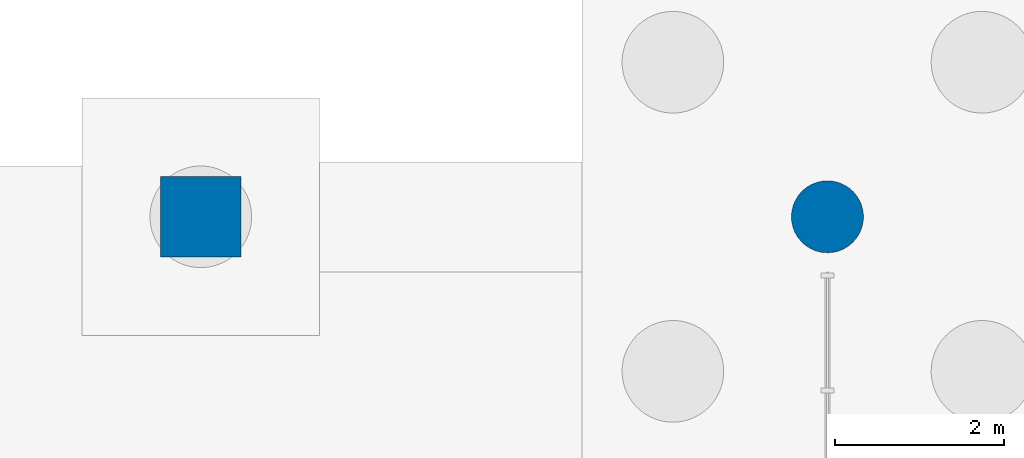
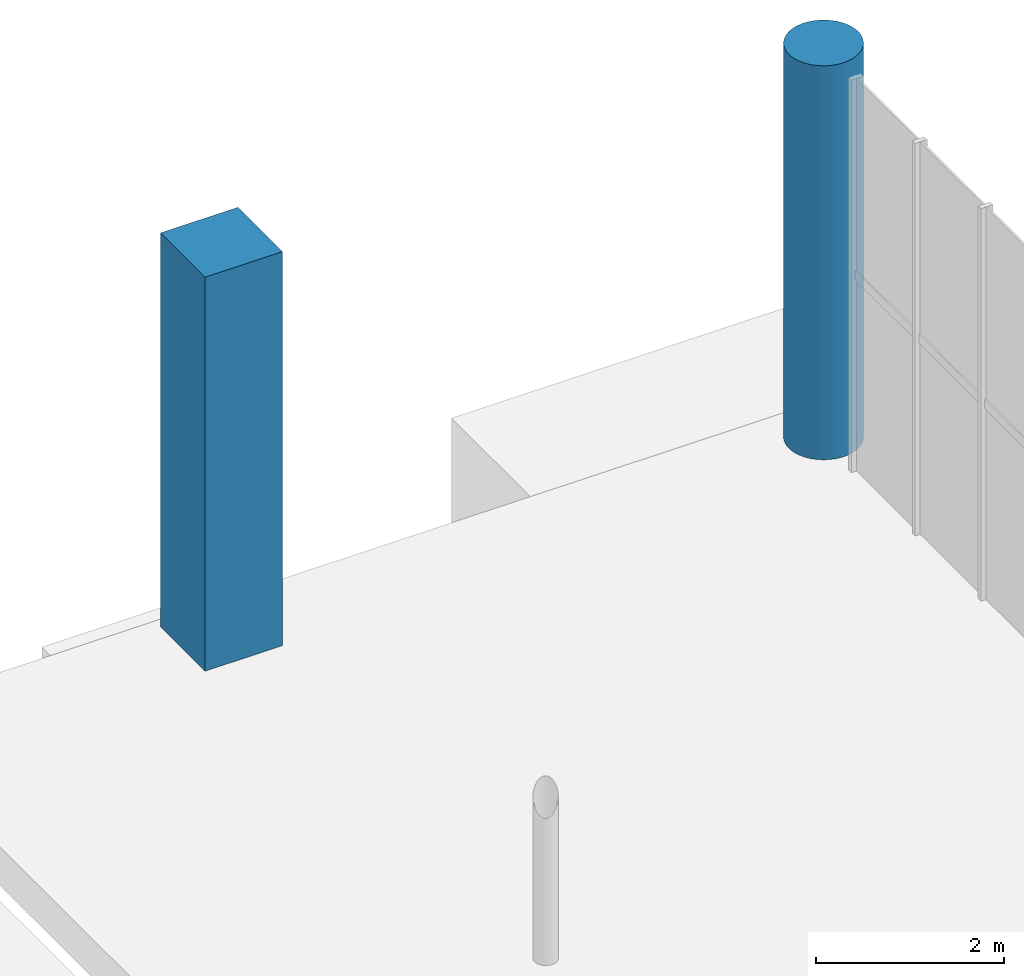
# One storey, part 33 of 87: 2 columns.
"""IFC4 building model written with IfcOpenShell, lengths in metres."""

import ifcopenshell
import ifcopenshell.guid

model = None  # the IFC model being written
_history = None  # IfcOwnerHistory: only IFC2X3 demands one
_inside = {}  # id of a spatial element -> (the spatial element, [elements in it])
_under = {}  # id of a project, library or spatial element -> (it, [spatial elements below it])
_declared = {}  # id of a project -> (the project, [libraries it declares])
_typed = {}  # id of a type object -> (the type object, [elements of that type])
_made_of = {}  # id of a material, layer set ... -> (it, [elements and type objects made of it])


def new_model(schema):
    """Start an empty IFC model of exactly this schema.

    Asked for "IFC4X3", IfcOpenShell would pick the latest addendum, in which some entities
    have other attributes; the version numbers below select the first issue.
    IFC2X3 requires an IfcOwnerHistory on every rooted entity: one is made here for all.
    """
    global model, _history
    if schema == "IFC4X3":
        model = ifcopenshell.file(schema_version=(4, 3, 0, 0))
    else:
        model = ifcopenshell.file(schema=schema)
    _inside.clear()
    _under.clear()
    _declared.clear()
    _typed.clear()
    _made_of.clear()
    _history = None
    if model.schema == "IFC2X3":
        org = make("IfcOrganization", Name="unknown")
        user = make(
            "IfcPersonAndOrganization",
            ThePerson=make("IfcPerson", FamilyName="unknown"),
            TheOrganization=org,
        )
        app = make(
            "IfcApplication",
            ApplicationDeveloper=org,
            Version="unknown",
            ApplicationFullName="unknown",
            ApplicationIdentifier="unknown",
        )
        _history = make(
            "IfcOwnerHistory",
            OwningUser=user,
            OwningApplication=app,
            ChangeAction="ADDED",
            CreationDate=0,
        )
    return model


def make(cls, **values):
    """One entity of the class cls with the attributes given. An attribute that is None is left unset."""
    return model.create_entity(
        cls, **{name: value for name, value in values.items() if value is not None}
    )


def rooted(cls, **values):
    """An entity with a GlobalId (a new one), such as an element, a storey or a relation."""
    return make(cls, GlobalId=ifcopenshell.guid.new(), OwnerHistory=_history, **values)


def si_unit(unit_type, name, prefix=None):
    """IfcSIUnit, for example si_unit("LENGTHUNIT", "METRE", prefix="MILLI")."""
    return make("IfcSIUnit", UnitType=unit_type, Prefix=prefix, Name=name)


def assignment(units):
    """IfcUnitAssignment: the units of a project."""
    return None if units is None else make("IfcUnitAssignment", Units=units)


def point(xyz):
    """IfcCartesianPoint."""
    return None if xyz is None else make("IfcCartesianPoint", Coordinates=xyz)


def direction(xyz):
    """IfcDirection."""
    return None if xyz is None else make("IfcDirection", DirectionRatios=xyz)


def frame(location, z_axis=None, x_axis=None):
    """IfcAxis2Placement3D, a coordinate frame: its origin and axes. An axis left out is left unset."""
    return make(
        "IfcAxis2Placement3D",
        Location=point(location),
        Axis=direction(z_axis),
        RefDirection=direction(x_axis),
    )


def frame_2d(location, x_axis=None):
    """IfcAxis2Placement2D, a coordinate frame in the plane: its origin and x axis."""
    return make(
        "IfcAxis2Placement2D", Location=point(location), RefDirection=direction(x_axis)
    )


def origin():
    """The frame at (0, 0, 0) with its axes left unset."""
    return frame((0.0, 0.0, 0.0))


def origin_2d():
    """The frame at (0, 0) in the plane with its x axis left unset."""
    return frame_2d((0.0, 0.0))


def place(relative_to, where):
    """IfcLocalPlacement: puts the frame where relative to a parent placement (None: the world)."""
    return make(
        "IfcLocalPlacement", PlacementRelTo=relative_to, RelativePlacement=where
    )


def context(
    kind, dimensions, precision=None, world=None, true_north=None, identifier=None
):
    """IfcGeometricRepresentationContext, for example the 3D "Model" context."""
    return make(
        "IfcGeometricRepresentationContext",
        ContextIdentifier=identifier,
        ContextType=kind,
        CoordinateSpaceDimension=dimensions,
        Precision=precision,
        WorldCoordinateSystem=world,
        TrueNorth=true_north,
    )


def subcontext(parent, identifier, kind, view, scale=None):
    """IfcGeometricRepresentationSubContext, for example "Body" below "Model"."""
    return make(
        "IfcGeometricRepresentationSubContext",
        ContextIdentifier=identifier,
        ContextType=kind,
        ParentContext=parent,
        TargetScale=scale,
        TargetView=view,
    )


def project(units=None, contexts=None):
    """IfcProject with its units and contexts."""
    return rooted(
        "IfcProject",
        Name="project",
        RepresentationContexts=contexts,
        UnitsInContext=assignment(units),
    )


def spatial(cls, under=None, at=None, **own):
    """A site, building, storey or space (cls), placed at a placement, below another one or the project."""
    s = rooted(cls, ObjectPlacement=at, **own)
    if under is not None:
        _under.setdefault(under.id(), (under, []))[1].append(s)
    return s


def profile(cls, at=None, kind="AREA", **sizes):
    """A parametric profile (cls). Its sizes go by their IFC names, for example OverallWidth=200.0."""
    return make(cls, ProfileType=kind, Position=at, **sizes)


def rectangle(**sizes):
    """IfcRectangleProfileDef."""
    return profile("IfcRectangleProfileDef", **sizes)


def circle(**sizes):
    """IfcCircleProfileDef."""
    return profile("IfcCircleProfileDef", **sizes)


def extrude(swept, where, along, depth):
    """IfcExtrudedAreaSolid: the profile swept, set in the frame where, extruded along a direction by depth."""
    return make(
        "IfcExtrudedAreaSolid",
        SweptArea=swept,
        Position=where,
        ExtrudedDirection=direction(along),
        Depth=depth,
    )


def shape(context_of_items, identifier, shape_type, items):
    """IfcShapeRepresentation: the items that make up one representation, for example the "Body"."""
    return make(
        "IfcShapeRepresentation",
        ContextOfItems=context_of_items,
        RepresentationIdentifier=identifier,
        RepresentationType=shape_type,
        Items=items,
    )


def material(Name=None, Category=None):
    """IfcMaterial."""
    return make("IfcMaterial", Name=Name, Category=Category)


def material_profile(
    of_material, cross_section, Name=None, Category=None, Priority=None
):
    """IfcMaterialProfile: a cross section and its material."""
    return make(
        "IfcMaterialProfile",
        Name=Name,
        Material=of_material,
        Profile=cross_section,
        Priority=Priority,
        Category=Category,
    )


def profile_set(profiles, Name=None, composite=None):
    """IfcMaterialProfileSet."""
    return make(
        "IfcMaterialProfileSet",
        Name=Name,
        MaterialProfiles=profiles,
        CompositeProfile=composite,
    )


def made_of(thing, what):
    """Note that an element or type object is made of a material, layer set ...; save() writes the relation."""
    if what is not None:
        _made_of.setdefault(what.id(), (what, []))[1].append(thing)
    return thing


def type_object(cls, material=None, **own):
    """A type object (cls), such as IfcWallType, which elements share."""
    return made_of(rooted(cls, **own), material)


def element(
    cls,
    number,
    at=None,
    inside=None,
    cuts=None,
    type_object=None,
    material=None,
    context=None,
    identifier="Body",
    shape_type=None,
    held_by="IfcProductDefinitionShape",
    body=None,
    shapes=None,
    **own,
):
    """One element of the class cls, such as IfcWall. Its Tag is "e" and its number.

    at: its placement. inside: the storey or other place that contains it. cuts: it is an
    opening in that element (IfcRelVoidsElement). A single representation is given by context,
    identifier, shape_type and body (its items); several are given by shapes. held_by: the class
    of the entity that holds the representations. save() writes the other relations.
    """
    e = rooted(cls, Tag="e%d" % number, ObjectPlacement=at, **own)
    if body is not None:
        shapes = [shape(context, identifier, shape_type, body)]
    if shapes is not None:
        e.Representation = make(held_by, Representations=shapes)
    if inside is not None:
        _inside.setdefault(inside.id(), (inside, []))[1].append(e)
    if cuts is not None:
        rooted(
            "IfcRelVoidsElement", RelatingBuildingElement=cuts, RelatedOpeningElement=e
        )
    if type_object is not None:
        _typed.setdefault(type_object.id(), (type_object, []))[1].append(e)
    return made_of(e, material)


def aggregate(whole, parts):
    """IfcRelAggregates: a whole, such as a stair, and the parts it consists of."""
    return rooted("IfcRelAggregates", RelatingObject=whole, RelatedObjects=parts)


def save(model, path):
    """Write the relations noted so far, then the file.

    IfcRelAggregates (storeys below a building ...), IfcRelContainedInSpatialStructure (elements
    in a storey), IfcRelDefinesByType, IfcRelAssociatesMaterial and IfcRelDeclares: one each for
    every whole, place, type object, material and project.
    """
    for whole, parts in _under.values():
        aggregate(whole, parts)
    for where, things in _inside.values():
        rooted(
            "IfcRelContainedInSpatialStructure",
            RelatedElements=things,
            RelatingStructure=where,
        )
    for kind, things in _typed.values():
        rooted("IfcRelDefinesByType", RelatedObjects=things, RelatingType=kind)
    for what, things in _made_of.values():
        rooted("IfcRelAssociatesMaterial", RelatedObjects=things, RelatingMaterial=what)
    for by, libraries in _declared.values():
        rooted("IfcRelDeclares", RelatingContext=by, RelatedDefinitions=libraries)
    model.write(path)


model = new_model("IFC4")

# Units and contexts
model_context = context("Model", 3, precision=1e-05, world=origin(), true_north=direction((0.0, 1.0)))
body_context = subcontext(model_context, "Body", "Model", "MODEL_VIEW")
ifc_project = project(units=[si_unit("LENGTHUNIT", "METRE"), si_unit("AREAUNIT", "SQUARE_METRE"), si_unit("VOLUMEUNIT", "CUBIC_METRE"), si_unit("PLANEANGLEUNIT", "RADIAN"), si_unit("MASSUNIT", "GRAM", prefix="KILO")], contexts=[model_context])

# Site, building, storey
site_placement = place(None, origin())
site = spatial("IfcSite", under=ifc_project, at=site_placement, CompositionType="ELEMENT")
building_placement = place(site_placement, origin())
building = spatial("IfcBuilding", under=site, at=building_placement, Name="Brisemont Oceanarium", CompositionType="ELEMENT")
storey_placement = place(building_placement, origin())
storey = spatial("IfcBuildingStorey", under=building, at=storey_placement, Name="L00", CompositionType="ELEMENT", Elevation=0.0)

# Columns
ifc_material_1 = material(Name="Concrete C40/50", Category="concrete")
ifc_material_profile_1 = material_profile(ifc_material_1, rectangle(XDim=0.949951171875, YDim=0.949951171875, at=origin_2d()), Name="RC-COL-950X950")
ifc_profile_set_1 = profile_set([ifc_material_profile_1], Name="Concrete C40/50")
column_type_1 = type_object("IfcColumnType", Name="COL-RC950", PredefinedType="COLUMN", material=ifc_profile_set_1)
column_1_placement = place(storey_placement, frame((152.0, 107.39990234375, 0.0), z_axis=(0.0, 0.0, 1.0), x_axis=(0.0, 1.0, 0.0)))
element("IfcColumn", 1, at=column_1_placement, inside=storey, type_object=column_type_1, Name="V6 L00 column (5,4)", PredefinedType="COLUMN", context=body_context, shape_type="SweptSolid", body=[
    extrude(rectangle(XDim=0.949951171875, YDim=0.949951171875, at=origin_2d()), origin(), (0.0, 0.0, 1.0), 5.1201171875),
])
ifc_material_2 = material(Name="Concrete C40/50", Category="concrete")
ifc_material_profile_2 = material_profile(ifc_material_2, circle(Radius=0.425048828125, at=origin_2d()), Name="RC-COL-D850")
ifc_profile_set_2 = profile_set([ifc_material_profile_2], Name="Concrete C40/50")
column_type_2 = type_object("IfcColumnType", Name="COL-RCD850", PredefinedType="COLUMN", material=ifc_profile_set_2)
column_2_placement = place(storey_placement, frame((159.39990234375, 107.39990234375, 0.0), z_axis=(0.0, 0.0, 1.0), x_axis=(1.0, 0.0, 0.0)))
element("IfcColumn", 2, at=column_2_placement, inside=storey, type_object=column_type_2, Name="V6 L00 column (6,4)", PredefinedType="COLUMN", context=body_context, shape_type="SweptSolid", body=[
    extrude(circle(Radius=0.425048828125, at=origin_2d()), origin(), (0.0, 0.0, 1.0), 5.1201171875),
])

save(model, "model.ifc")
